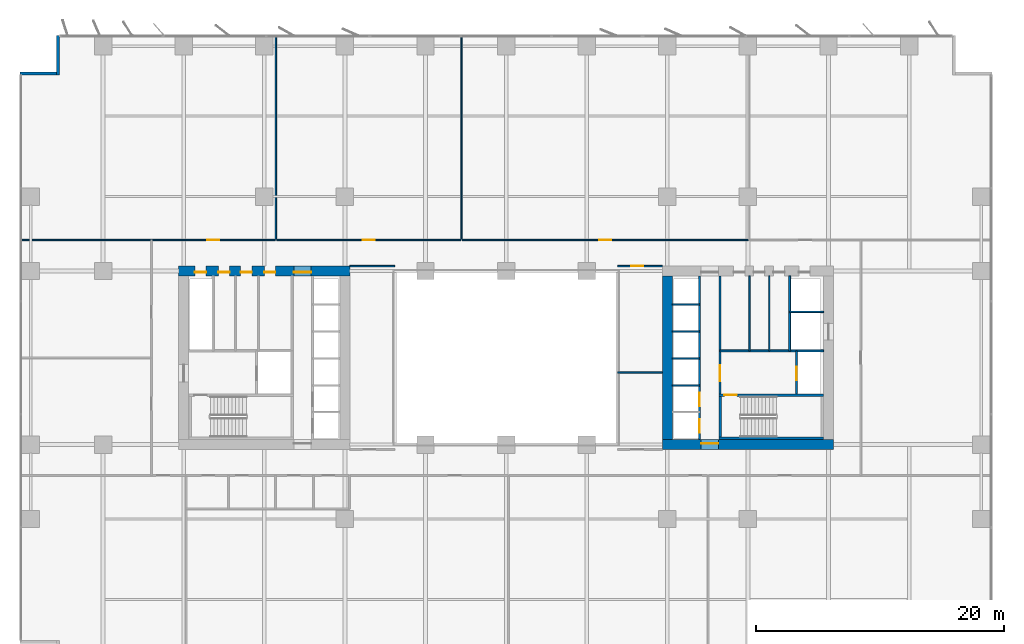
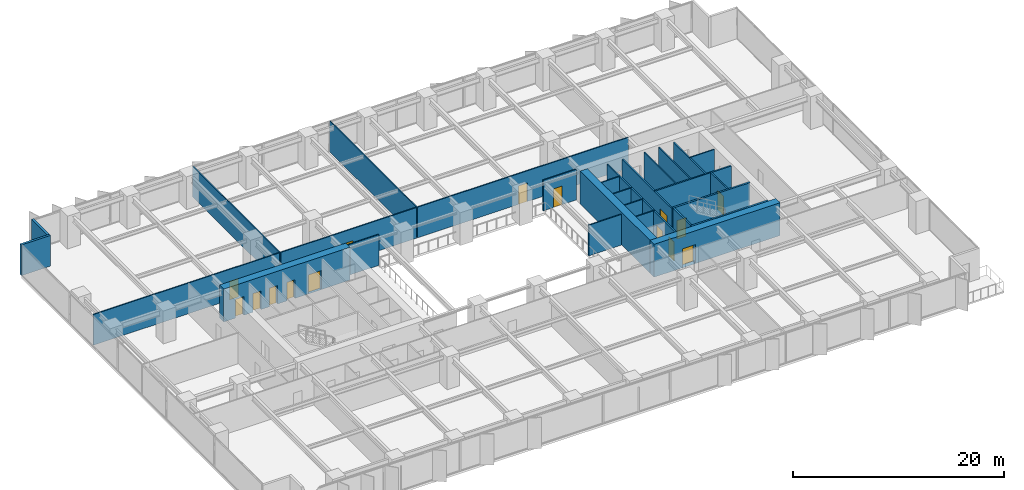
# One storey, part 14 of 20: 28 walls, 15 doors, 15 openings.
"""IFC4 building model written with IfcOpenShell, lengths in metres."""

from ifc_helpers import new_model, si_unit, direction, frame, frame_2d, origin, place, context, subcontext, project, spatial, rectangle, extrude, material, layer, layer_set, type_object, element, fill, save


model = new_model("IFC4")

# Units and contexts
model_context = context("Model", 3, precision=1e-05, world=origin(), true_north=direction((0.0, 1.0)))
body_context = subcontext(model_context, "Body", "Model", "MODEL_VIEW")
ifc_project = project(units=[si_unit("LENGTHUNIT", "METRE"), si_unit("AREAUNIT", "SQUARE_METRE"), si_unit("VOLUMEUNIT", "CUBIC_METRE"), si_unit("PLANEANGLEUNIT", "RADIAN"), si_unit("MASSUNIT", "GRAM", prefix="KILO")], contexts=[model_context])

# Site, building, storey
site_placement = place(None, origin())
site = spatial("IfcSite", under=ifc_project, at=site_placement, CompositionType="ELEMENT")
building_placement = place(site_placement, origin())
building = spatial("IfcBuilding", under=site, at=building_placement, Name="Putna Gate Headquarters", CompositionType="ELEMENT")
storey_placement = place(building_placement, frame((0.0, 0.0, 46.800048828125)))
storey = spatial("IfcBuildingStorey", under=building, at=storey_placement, Name="L10", CompositionType="ELEMENT", Elevation=46.800048828125)

# Wall, openings, doors
ifc_material_1 = material(Name="Concrete C60/75", Category="concrete")
ifc_layer_1 = layer(ifc_material_1, 0.800048828125)
ifc_layer_set_1 = layer_set([ifc_layer_1], Name="Concrete C60/75")
wall_type_1 = type_object("IfcWallType", Name="WALL-CORE-800", PredefinedType="SHEAR", material=ifc_layer_set_1)
wall_1_placement = place(storey_placement, frame((12.60009765625, 33.0, 0.0), z_axis=(0.0, 0.0, 1.0), x_axis=(1.0, 0.0, 0.0)))
wall_1 = element("IfcWall", 1, at=wall_1_placement, inside=storey, type_object=wall_type_1, Name="L10 WC Split Core Shear Wall N", PredefinedType="SHEAR", context=body_context, shape_type="SweptSolid", body=[
    extrude(rectangle(XDim=13.7998046875, YDim=0.800048828125, at=frame_2d((6.89990234375, 0.0))), origin(), (0.0, 0.0, 1.0), 3.800048828125),
])
opening_1_placement = place(wall_1_placement, frame((1.300048828125, 0.0, 0.0)))
opening_1 = element("IfcOpeningElement", 2, at=opening_1_placement, cuts=wall_1, Name="Opening RD-90", PredefinedType="OPENING", context=body_context, shape_type="SweptSolid", body=[
    extrude(rectangle(XDim=0.89990234375, YDim=2.14990234375, at=frame_2d((0.449951171875, 1.074951171875))), frame((0.0, 0.409912109375, 0.0), z_axis=(0.0, -1.0, 0.0), x_axis=(1.0, 0.0, 0.0)), (0.0, 0.0, 1.0), 0.820068359375),
])
opening_2_placement = place(wall_1_placement, frame((3.199951171875, 0.0, 0.0)))
opening_2 = element("IfcOpeningElement", 3, at=opening_2_placement, cuts=wall_1, Name="Opening IDS-90", PredefinedType="OPENING", context=body_context, shape_type="SweptSolid", body=[
    extrude(rectangle(XDim=0.89990234375, YDim=2.14990234375, at=frame_2d((0.449951171875, 1.074951171875))), frame((0.0, 0.409912109375, 0.0), z_axis=(0.0, -1.0, 0.0), x_axis=(1.0, 0.0, 0.0)), (0.0, 0.0, 1.0), 0.820068359375),
])
opening_3_placement = place(wall_1_placement, frame((5.0, 0.0, 0.0)))
opening_3 = element("IfcOpeningElement", 4, at=opening_3_placement, cuts=wall_1, Name="Opening IDS-90", PredefinedType="OPENING", context=body_context, shape_type="SweptSolid", body=[
    extrude(rectangle(XDim=0.89990234375, YDim=2.14990234375, at=frame_2d((0.449951171875, 1.074951171875))), frame((0.0, 0.409912109375, 0.0), z_axis=(0.0, -1.0, 0.0), x_axis=(1.0, 0.0, 0.0)), (0.0, 0.0, 1.0), 0.820068359375),
])
opening_4_placement = place(wall_1_placement, frame((6.89990234375, 0.0, 0.0)))
opening_4 = element("IfcOpeningElement", 5, at=opening_4_placement, cuts=wall_1, Name="Opening IDS-90", PredefinedType="OPENING", context=body_context, shape_type="SweptSolid", body=[
    extrude(rectangle(XDim=0.89990234375, YDim=2.14990234375, at=frame_2d((0.449951171875, 1.074951171875))), frame((0.0, 0.409912109375, 0.0), z_axis=(0.0, -1.0, 0.0), x_axis=(1.0, 0.0, 0.0)), (0.0, 0.0, 1.0), 0.820068359375),
])
opening_5_placement = place(wall_1_placement, frame((9.280029296875, 0.0, 0.0)))
opening_5 = element("IfcOpeningElement", 6, at=opening_5_placement, cuts=wall_1, Name="Opening FDD-140", PredefinedType="OPENING", context=body_context, shape_type="SweptSolid", body=[
    extrude(rectangle(XDim=1.39990234375, YDim=2.199951171875, at=frame_2d((0.699951171875, 1.10009765625))), frame((0.0, 0.409912109375, 0.0), z_axis=(0.0, -1.0, 0.0), x_axis=(1.0, 0.0, 0.0)), (0.0, 0.0, 1.0), 0.820068359375),
])
ifc_material_2 = material(Name="Double steel fire door", Category="steel")
door_type_1 = type_object("IfcDoorType", Name="DOOR-FIRE-DBL-1400", OperationType="DOUBLE_DOOR_SINGLE_SWING", PredefinedType="DOOR", material=ifc_material_2)
door_1_placement = place(opening_5_placement, origin())
door_1 = element("IfcDoor", 7, at=door_1_placement, inside=storey, type_object=door_type_1, Name="L10 West Lift Lobby North Door", OperationType="DOUBLE_DOOR_SINGLE_SWING", OverallHeight=2.199951171875, OverallWidth=1.39990234375, PredefinedType="DOOR", context=body_context, shape_type="SweptSolid", body=[
    extrude(rectangle(XDim=1.39990234375, YDim=2.199951171875, at=frame_2d((0.699951171875, 1.10009765625))), frame((0.0, -0.0751953125, 0.0), z_axis=(0.0, -1.0, 0.0), x_axis=(1.0, 0.0, 0.0)), (0.0, 0.0, 1.0), 0.050048828125),
])
fill(opening_5, door_1)
ifc_material_3 = material(Name="Fire-rated utility door")
door_type_2 = type_object("IfcDoorType", Name="DOOR-INT-900", OperationType="NOTDEFINED", PredefinedType="DOOR", material=ifc_material_3)
door_2_placement = place(opening_2_placement, origin())
door_2 = element("IfcDoor", 8, at=door_2_placement, inside=storey, type_object=door_type_2, Name="L10 Janitor Cupboard Door", OperationType="SINGLE_SWING_LEFT", OverallHeight=2.14990234375, OverallWidth=0.89990234375, PredefinedType="DOOR", context=body_context, shape_type="SweptSolid", body=[
    extrude(rectangle(XDim=0.89990234375, YDim=2.14990234375, at=frame_2d((0.449951171875, 1.074951171875))), frame((0.0, -0.0751953125, 0.0), z_axis=(0.0, -1.0, 0.0), x_axis=(1.0, 0.0, 0.0)), (0.0, 0.0, 1.0), 0.050048828125),
])
fill(opening_2, door_2)
door_3_placement = place(opening_3_placement, origin())
door_3 = element("IfcDoor", 9, at=door_3_placement, inside=storey, type_object=door_type_2, Name="L10 IT Patch Plant Door", OperationType="SINGLE_SWING_RIGHT", OverallHeight=2.14990234375, OverallWidth=0.89990234375, PredefinedType="DOOR", context=body_context, shape_type="SweptSolid", body=[
    extrude(rectangle(XDim=0.89990234375, YDim=2.14990234375, at=frame_2d((0.449951171875, 1.074951171875))), frame((0.0, -0.0751953125, 0.0), z_axis=(0.0, -1.0, 0.0), x_axis=(1.0, 0.0, 0.0)), (0.0, 0.0, 1.0), 0.050048828125),
])
fill(opening_3, door_3)
door_4_placement = place(opening_4_placement, origin())
door_4 = element("IfcDoor", 10, at=door_4_placement, inside=storey, type_object=door_type_2, Name="L10 Building Records Store Door", OperationType="SINGLE_SWING_LEFT", OverallHeight=2.14990234375, OverallWidth=0.89990234375, PredefinedType="DOOR", context=body_context, shape_type="SweptSolid", body=[
    extrude(rectangle(XDim=0.89990234375, YDim=2.14990234375, at=frame_2d((0.449951171875, 1.074951171875))), frame((0.0, -0.0751953125, 0.0), z_axis=(0.0, -1.0, 0.0), x_axis=(1.0, 0.0, 0.0)), (0.0, 0.0, 1.0), 0.050048828125),
])
fill(opening_4, door_4)
ifc_material_4 = material(Name="Steel riser access fire door", Category="steel")
door_type_3 = type_object("IfcDoorType", Name="DOOR-RISER-900", OperationType="NOTDEFINED", PredefinedType="DOOR", material=ifc_material_4)
door_5_placement = place(opening_1_placement, origin())
door_5 = element("IfcDoor", 11, at=door_5_placement, inside=storey, type_object=door_type_3, Name="L10 West Riser Access Door", OperationType="SINGLE_SWING_RIGHT", OverallHeight=2.14990234375, OverallWidth=0.89990234375, PredefinedType="DOOR", context=body_context, shape_type="SweptSolid", body=[
    extrude(rectangle(XDim=0.89990234375, YDim=2.14990234375, at=frame_2d((0.449951171875, 1.074951171875))), frame((0.0, -0.0751953125, 0.0), z_axis=(0.0, -1.0, 0.0), x_axis=(1.0, 0.0, 0.0)), (0.0, 0.0, 1.0), 0.050048828125),
])
fill(opening_1, door_5)

# Wall, opening, door
wall_2_placement = place(storey_placement, frame((51.60009765625, 19.0, 0.0), z_axis=(0.0, 0.0, 1.0), x_axis=(1.0, 0.0, 0.0)))
wall_2 = element("IfcWall", 12, at=wall_2_placement, inside=storey, type_object=wall_type_1, Name="L10 EC Split Core Shear Wall S", PredefinedType="SHEAR", context=body_context, shape_type="SweptSolid", body=[
    extrude(rectangle(XDim=13.7998046875, YDim=0.800048828125, at=frame_2d((6.89990234375, 0.0))), origin(), (0.0, 0.0, 1.0), 3.800048828125),
])
opening_6_placement = place(wall_2_placement, frame((3.1201171875, 0.0, 0.0)))
opening_6 = element("IfcOpeningElement", 13, at=opening_6_placement, cuts=wall_2, Name="Opening FDD-140", PredefinedType="OPENING", context=body_context, shape_type="SweptSolid", body=[
    extrude(rectangle(XDim=1.39990234375, YDim=2.199951171875, at=frame_2d((0.699951171875, 1.10009765625))), frame((0.0, 0.409912109375, 0.0), z_axis=(0.0, -1.0, 0.0), x_axis=(1.0, 0.0, 0.0)), (0.0, 0.0, 1.0), 0.820068359375),
])
door_6_placement = place(opening_6_placement, origin())
door_6 = element("IfcDoor", 14, at=door_6_placement, inside=storey, type_object=door_type_1, Name="L10 East Lift Lobby South Door", OperationType="DOUBLE_DOOR_SINGLE_SWING", OverallHeight=2.199951171875, OverallWidth=1.39990234375, PredefinedType="DOOR", context=body_context, shape_type="SweptSolid", body=[
    extrude(rectangle(XDim=1.39990234375, YDim=2.199951171875, at=frame_2d((0.699951171875, 1.10009765625))), frame((0.0, 0.125, 0.0), z_axis=(0.0, -1.0, 0.0), x_axis=(1.0, 0.0, 0.0)), (0.0, 0.0, 1.0), 0.050048828125),
])
fill(opening_6, door_6)

# Walls
wall_3_placement = place(storey_placement, frame((52.0, 19.39990234375, 0.0), z_axis=(0.0, 0.0, 1.0), x_axis=(0.0, 1.0, 0.0)))
element("IfcWall", 15, at=wall_3_placement, inside=storey, type_object=wall_type_1, Name="L10 EC Split Core Shear Wall W", PredefinedType="SHEAR", context=body_context, shape_type="SweptSolid", body=[
    extrude(rectangle(XDim=13.2001953125, YDim=0.800048828125, at=frame_2d((6.60009765625, 0.0))), origin(), (0.0, 0.0, 1.0), 3.800048828125),
])
ifc_material_5 = material(Name="Precast concrete C40/50", Category="concrete")
ifc_layer_2 = layer(ifc_material_5, 0.239990234375)
ifc_layer_set_2 = layer_set([ifc_layer_2], Name="Precast concrete C40/50")
wall_type_2 = type_object("IfcWallType", Name="WALL-EXT-TERR-240", PredefinedType="STANDARD", material=ifc_layer_set_2)
for number, where, z_axis, x_axis, name in (
    (16, (2.8798828125, 48.800048828125, 0.0), (0.0, 0.0, 1.0), (0.0, 1.0, 0.0), "L10 Corner Notch Return Wall NW-V"),
    (17, (-0.199951171875, 48.919921875, 0.0), (0.0, 0.0, 1.0), (1.0, 0.0, 0.0), "L10 Corner Notch Return Wall NW-H"),
):
    element("IfcWall", number, at=place(storey_placement, frame(where, z_axis=z_axis, x_axis=x_axis)), inside=storey, type_object=wall_type_2, Name=name, PredefinedType="STANDARD", context=body_context, shape_type="SweptSolid", body=[
        extrude(rectangle(XDim=3.199951171875, YDim=0.239990234375, at=frame_2d((1.60009765625, 0.0))), origin(), (0.0, 0.0, 1.0), 3.550048828125),
    ])
ifc_material_6 = material(Name="Acoustic gypsum board on metal stud")
ifc_layer_3 = layer(ifc_material_6, 0.1201171875)
ifc_layer_set_3 = layer_set([ifc_layer_3], Name="Acoustic gypsum board on metal stud")
wall_type_3 = type_object("IfcWallType", Name="WALL-PART-120", PredefinedType="PARTITIONING", material=ifc_layer_set_3)
for number, where, z_axis, x_axis, name in (
    (18, (26.39990234375, 33.39990234375, 0.0), (0.0, 0.0, 1.0), (1.0, 0.0, 0.0), "L10 Interior Wall PART-L10-ATR-W-N"),
    (19, (48.0, 24.800048828125, 0.0), (0.0, 0.0, 1.0), (1.0, 0.0, 0.0), "L10 Interior Wall PART-L10-ATR-E-DIV"),
):
    element("IfcWall", number, at=place(storey_placement, frame(where, z_axis=z_axis, x_axis=x_axis)), inside=storey, type_object=wall_type_3, Name=name, PredefinedType="PARTITIONING", context=body_context, shape_type="SweptSolid", body=[
        extrude(rectangle(XDim=3.60009765625, YDim=0.1201171875, at=frame_2d((1.800048828125, 0.0))), origin(), (0.0, 0.0, 1.0), 3.550048828125),
    ])

# Wall, opening, door
wall_4_placement = place(storey_placement, frame((48.0, 33.39990234375, 0.0), z_axis=(0.0, 0.0, 1.0), x_axis=(1.0, 0.0, 0.0)))
wall_4 = element("IfcWall", 20, at=wall_4_placement, inside=storey, type_object=wall_type_3, Name="L10 Interior Wall PART-L10-ATR-E-N", PredefinedType="PARTITIONING", context=body_context, shape_type="SweptSolid", body=[
    extrude(rectangle(XDim=3.60009765625, YDim=0.1201171875, at=frame_2d((1.800048828125, 0.0))), origin(), (0.0, 0.0, 1.0), 3.550048828125),
])
opening_7_placement = place(wall_4_placement, frame((1.10009765625, 0.0, 0.0)))
opening_7 = element("IfcOpeningElement", 21, at=opening_7_placement, cuts=wall_4, Name="Opening ID-95", PredefinedType="OPENING", context=body_context, shape_type="SweptSolid", body=[
    extrude(rectangle(XDim=0.949951171875, YDim=2.14990234375, at=frame_2d((0.47509765625, 1.074951171875))), frame((0.0, 0.070068359375, 0.0), z_axis=(0.0, -1.0, 0.0), x_axis=(1.0, 0.0, 0.0)), (0.0, 0.0, 1.0), 0.14013671875),
])
ifc_material_7 = material(Name="Veneered acoustic timber door", Category="wood")
door_type_4 = type_object("IfcDoorType", Name="DOOR-OFF-950", OperationType="NOTDEFINED", PredefinedType="DOOR", material=ifc_material_7)
door_7_placement = place(opening_7_placement, origin())
door_7 = element("IfcDoor", 22, at=door_7_placement, inside=storey, type_object=door_type_4, Name="L10 East Atrium North Gallery Door", OperationType="SINGLE_SWING_LEFT", OverallHeight=2.14990234375, OverallWidth=0.949951171875, PredefinedType="DOOR", context=body_context, shape_type="SweptSolid", body=[
    extrude(rectangle(XDim=0.949951171875, YDim=2.14990234375, at=frame_2d((0.47509765625, 1.074951171875))), frame((0.0, 0.02490234375, 0.0), z_axis=(0.0, -1.0, 0.0), x_axis=(1.0, 0.0, 0.0)), (0.0, 0.0, 1.0), 0.050048828125),
])
fill(opening_7, door_7)

# Walls
for number, where, z_axis, x_axis, name in (
    (23, (20.426513671875, 35.56005859375, 0.0), (0.0, 0.0, 1.0), (0.0, 1.0, 0.0), "L10 Interior Wall PART-L10-NB-DIV-01"),
    (24, (35.40234375, 35.56005859375, 0.0), (0.0, 0.0, 1.0), (0.0, 1.0, 0.0), "L10 Interior Wall PART-L10-NB-DIV-02"),
):
    element("IfcWall", number, at=place(storey_placement, frame(where, z_axis=z_axis, x_axis=x_axis)), inside=storey, type_object=wall_type_3, Name=name, PredefinedType="PARTITIONING", context=body_context, shape_type="SweptSolid", body=[
        extrude(rectangle(XDim=16.419921875, YDim=0.1201171875, at=frame_2d((8.2099609375, 0.0))), origin(), (0.0, 0.0, 1.0), 3.550048828125),
    ])
ifc_material_8 = material(Name="Fire-rated shaftwall gypsum board on metal stud")
ifc_layer_4 = layer(ifc_material_8, 0.1201171875)
ifc_layer_set_4 = layer_set([ifc_layer_4], Name="Fire-rated shaftwall gypsum board on metal stud")
wall_type_4 = type_object("IfcWallType", Name="WALL-PART-120-EI120", PredefinedType="PARTITIONING", material=ifc_layer_set_4)
for number, where, z_axis, x_axis, name in (
    (25, (52.39990234375, 23.780029296875, 0.0), (0.0, 0.0, 1.0), (1.0, 0.0, 0.0), "L10 Interior Wall CWINT-L10-EC-LF04-DIV"),
    (26, (52.39990234375, 25.949951171875, 0.0), (0.0, 0.0, 1.0), (1.0, 0.0, 0.0), "L10 Interior Wall CWINT-L10-EC-LF07-DIV"),
    (27, (52.39990234375, 28.1201171875, 0.0), (0.0, 0.0, 1.0), (1.0, 0.0, 0.0), "L10 Interior Wall CWINT-L10-EC-LF08-DIV"),
    (28, (52.39990234375, 30.31005859375, 0.0), (0.0, 0.0, 1.0), (1.0, 0.0, 0.0), "L10 Interior Wall CWINT-L10-EC-LF11-DIV"),
):
    element("IfcWall", number, at=place(storey_placement, frame(where, z_axis=z_axis, x_axis=x_axis)), inside=storey, type_object=wall_type_4, Name=name, PredefinedType="PARTITIONING", context=body_context, shape_type="SweptSolid", body=[
        extrude(rectangle(XDim=2.2001953125, YDim=0.1201171875, at=frame_2d((1.10009765625, 0.0))), origin(), (0.0, 0.0, 1.0), 3.550048828125),
    ])
wall_5_placement = place(storey_placement, frame((61.8701171875, 29.699951171875, 0.0), z_axis=(0.0, 0.0, 1.0), x_axis=(1.0, 0.0, 0.0)))
element("IfcWall", 29, at=wall_5_placement, inside=storey, type_object=wall_type_4, Name="L10 Interior Wall CWINT-L10-EC-LF15-N", PredefinedType="PARTITIONING", context=body_context, shape_type="SweptSolid", body=[
    extrude(rectangle(XDim=2.72998046875, YDim=0.1201171875, at=frame_2d((1.364990234375, 0.0))), origin(), (0.0, 0.0, 1.0), 3.550048828125),
])
ifc_material_9 = material(Name="Fire-rated gypsum board on metal stud")
ifc_layer_5 = layer(ifc_material_9, 0.1201171875)
ifc_layer_set_5 = layer_set([ifc_layer_5], Name="Fire-rated gypsum board on metal stud")
wall_type_5 = type_object("IfcWallType", Name="WALL-PART-120-RATED", PredefinedType="PARTITIONING", material=ifc_layer_set_5)
for number, where, z_axis, x_axis, name in (
    (30, (58.6201171875, 26.56005859375, 0.0), (0.0, 0.0, 1.0), (0.0, 1.0, 0.0), "L10 Interior Wall CWINT-L10-EC-K2-D1"),
    (31, (60.219970703125, 26.56005859375, 0.0), (0.0, 0.0, 1.0), (0.0, 1.0, 0.0), "L10 Interior Wall CWINT-L10-EC-K2-D2"),
):
    element("IfcWall", number, at=place(storey_placement, frame(where, z_axis=z_axis, x_axis=x_axis)), inside=storey, type_object=wall_type_5, Name=name, PredefinedType="PARTITIONING", context=body_context, shape_type="SweptSolid", body=[
        extrude(rectangle(XDim=6.0400390625, YDim=0.1201171875, at=frame_2d((3.02001953125, 0.0))), origin(), (0.0, 0.0, 1.0), 3.550048828125),
    ])

# Wall, opening, door
wall_6_placement = place(storey_placement, frame((-0.02001953125, 35.5, 0.0), z_axis=(0.0, 0.0, 1.0), x_axis=(1.0, 0.0, 0.0)))
wall_6 = element("IfcWall", 32, at=wall_6_placement, inside=storey, type_object=wall_type_5, Name="L10 Interior Wall PART-L10-NB-CW-01", PredefinedType="PARTITIONING", context=body_context, shape_type="SweptSolid", body=[
    extrude(rectangle(XDim=20.386474609375, YDim=0.1201171875, at=frame_2d((10.193359375, 0.0))), origin(), (0.0, 0.0, 1.0), 3.550048828125),
])
opening_8_placement = place(wall_6_placement, frame((14.92822265625, 0.0, 0.0)))
opening_8 = element("IfcOpeningElement", 33, at=opening_8_placement, cuts=wall_6, Name="Opening FD-95", PredefinedType="OPENING", context=body_context, shape_type="SweptSolid", body=[
    extrude(rectangle(XDim=0.949951171875, YDim=2.14990234375, at=frame_2d((0.47509765625, 1.074951171875))), frame((0.0, 0.070068359375, 0.0), z_axis=(0.0, -1.0, 0.0), x_axis=(1.0, 0.0, 0.0)), (0.0, 0.0, 1.0), 0.14013671875),
])
ifc_material_10 = material(Name="Acoustic timber fire door", Category="wood")
door_type_5 = type_object("IfcDoorType", Name="DOOR-FIRE-950", OperationType="NOTDEFINED", PredefinedType="DOOR", material=ifc_material_10)
door_8_placement = place(opening_8_placement, origin())
door_8 = element("IfcDoor", 34, at=door_8_placement, inside=storey, type_object=door_type_5, Name="L10 Collaborative Breakout Lounge 1 Door", OperationType="SINGLE_SWING_RIGHT", OverallHeight=2.14990234375, OverallWidth=0.949951171875, PredefinedType="DOOR", context=body_context, shape_type="SweptSolid", body=[
    extrude(rectangle(XDim=0.949951171875, YDim=2.14990234375, at=frame_2d((0.47509765625, 1.074951171875))), frame((0.0, 0.02490234375, 0.0), z_axis=(0.0, -1.0, 0.0), x_axis=(1.0, 0.0, 0.0)), (0.0, 0.0, 1.0), 0.050048828125),
])
fill(opening_8, door_8)

wall_7_placement = place(storey_placement, frame((20.486572265625, 35.5, 0.0), z_axis=(0.0, 0.0, 1.0), x_axis=(1.0, 0.0, 0.0)))
wall_7 = element("IfcWall", 35, at=wall_7_placement, inside=storey, type_object=wall_type_5, Name="L10 Interior Wall PART-L10-NB-CW-02", PredefinedType="PARTITIONING", context=body_context, shape_type="SweptSolid", body=[
    extrude(rectangle(XDim=14.855712890625, YDim=0.1201171875, at=frame_2d((7.427734375, 0.0))), origin(), (0.0, 0.0, 1.0), 3.550048828125),
])
opening_9_placement = place(wall_7_placement, frame((6.952880859375, 0.0, 0.0)))
opening_9 = element("IfcOpeningElement", 36, at=opening_9_placement, cuts=wall_7, Name="Opening FD-95", PredefinedType="OPENING", context=body_context, shape_type="SweptSolid", body=[
    extrude(rectangle(XDim=0.949951171875, YDim=2.14990234375, at=frame_2d((0.47509765625, 1.074951171875))), frame((0.0, 0.070068359375, 0.0), z_axis=(0.0, -1.0, 0.0), x_axis=(1.0, 0.0, 0.0)), (0.0, 0.0, 1.0), 0.14013671875),
])
door_9_placement = place(opening_9_placement, origin())
door_9 = element("IfcDoor", 37, at=door_9_placement, inside=storey, type_object=door_type_5, Name="L10 Cellular Office 1 Door", OperationType="SINGLE_SWING_LEFT", OverallHeight=2.14990234375, OverallWidth=0.949951171875, PredefinedType="DOOR", context=body_context, shape_type="SweptSolid", body=[
    extrude(rectangle(XDim=0.949951171875, YDim=2.14990234375, at=frame_2d((0.47509765625, 1.074951171875))), frame((0.0, 0.02490234375, 0.0), z_axis=(0.0, -1.0, 0.0), x_axis=(1.0, 0.0, 0.0)), (0.0, 0.0, 1.0), 0.050048828125),
])
fill(opening_9, door_9)

wall_8_placement = place(storey_placement, frame((35.46240234375, 35.5, 0.0), z_axis=(0.0, 0.0, 1.0), x_axis=(1.0, 0.0, 0.0)))
wall_8 = element("IfcWall", 38, at=wall_8_placement, inside=storey, type_object=wall_type_5, Name="L10 Interior Wall PART-L10-NB-CW-03", PredefinedType="PARTITIONING", context=body_context, shape_type="SweptSolid", body=[
    extrude(rectangle(XDim=23.057861328125, YDim=0.1201171875, at=frame_2d((11.52880859375, 0.0))), origin(), (0.0, 0.0, 1.0), 3.550048828125),
])
opening_10_placement = place(wall_8_placement, frame((11.053955078125, 0.0, 0.0)))
opening_10 = element("IfcOpeningElement", 39, at=opening_10_placement, cuts=wall_8, Name="Opening FD-95", PredefinedType="OPENING", context=body_context, shape_type="SweptSolid", body=[
    extrude(rectangle(XDim=0.949951171875, YDim=2.14990234375, at=frame_2d((0.47509765625, 1.074951171875))), frame((0.0, 0.070068359375, 0.0), z_axis=(0.0, -1.0, 0.0), x_axis=(1.0, 0.0, 0.0)), (0.0, 0.0, 1.0), 0.14013671875),
])
door_10_placement = place(opening_10_placement, origin())
door_10 = element("IfcDoor", 40, at=door_10_placement, inside=storey, type_object=door_type_5, Name="L10 Cellular Office 2 Door", OperationType="SINGLE_SWING_RIGHT", OverallHeight=2.14990234375, OverallWidth=0.949951171875, PredefinedType="DOOR", context=body_context, shape_type="SweptSolid", body=[
    extrude(rectangle(XDim=0.949951171875, YDim=2.14990234375, at=frame_2d((0.47509765625, 1.074951171875))), frame((0.0, 0.02490234375, 0.0), z_axis=(0.0, -1.0, 0.0), x_axis=(1.0, 0.0, 0.0)), (0.0, 0.0, 1.0), 0.050048828125),
])
fill(opening_10, door_10)

# Wall, openings, doors
ifc_material_11 = material(Name="Concrete C40/50", Category="concrete")
ifc_layer_6 = layer(ifc_material_11, 0.159912109375)
ifc_layer_set_6 = layer_set([ifc_layer_6], Name="Concrete C40/50")
wall_type_6 = type_object("IfcWallType", Name="WALL-SHAFT-160", PredefinedType="STANDARD", material=ifc_layer_set_6)
wall_9_placement = place(storey_placement, frame((54.60009765625, 19.39990234375, 0.0), z_axis=(0.0, 0.0, 1.0), x_axis=(0.0, 1.0, 0.0)))
wall_9 = element("IfcWall", 41, at=wall_9_placement, inside=storey, type_object=wall_type_6, Name="L10 Interior Wall CWINT-L10-EC-PL-WALL", PredefinedType="STANDARD", context=body_context, shape_type="SweptSolid", body=[
    extrude(rectangle(XDim=13.2001953125, YDim=0.159912109375, at=frame_2d((6.60009765625, 0.0))), origin(), (0.0, 0.0, 1.0), 3.550048828125),
])
opening_11_placement = place(wall_9_placement, frame((0.550048828125, 0.0, 0.0)))
opening_11 = element("IfcOpeningElement", 42, at=opening_11_placement, cuts=wall_9, Name="Opening LD-1", PredefinedType="OPENING", context=body_context, shape_type="SweptSolid", body=[
    extrude(rectangle(XDim=1.10009765625, YDim=2.199951171875, at=frame_2d((0.550048828125, 1.10009765625))), frame((0.0, 0.08984375, 0.0), z_axis=(0.0, -1.0, 0.0), x_axis=(1.0, 0.0, 0.0)), (0.0, 0.0, 1.0), 0.179931640625),
])
opening_12_placement = place(wall_9_placement, frame((2.699951171875, 0.0, 0.0)))
opening_12 = element("IfcOpeningElement", 43, at=opening_12_placement, cuts=wall_9, Name="Opening LD-1", PredefinedType="OPENING", context=body_context, shape_type="SweptSolid", body=[
    extrude(rectangle(XDim=1.10009765625, YDim=2.199951171875, at=frame_2d((0.550048828125, 1.10009765625))), frame((0.0, 0.08984375, 0.0), z_axis=(0.0, -1.0, 0.0), x_axis=(1.0, 0.0, 0.0)), (0.0, 0.0, 1.0), 0.179931640625),
])
ifc_material_12 = material(Name="Brushed bronze stainless lift landing door")
door_type_6 = type_object("IfcDoorType", Name="DOOR-LIFT-1100", OperationType="DOUBLE_DOOR_SLIDING", PredefinedType="DOOR", material=ifc_material_12)
door_11_placement = place(opening_11_placement, origin())
door_11 = element("IfcDoor", 44, at=door_11_placement, inside=storey, type_object=door_type_6, Name="L10 Lift Landing Door LD-03", OperationType="DOUBLE_DOOR_SLIDING", OverallHeight=2.199951171875, OverallWidth=1.10009765625, PredefinedType="DOOR", context=body_context, shape_type="SweptSolid", body=[
    extrude(rectangle(XDim=1.10009765625, YDim=2.199951171875, at=frame_2d((0.550048828125, 1.10009765625))), frame((0.0, 0.02490234375, 0.0), z_axis=(0.0, -1.0, 0.0), x_axis=(1.0, 0.0, 0.0)), (0.0, 0.0, 1.0), 0.050048828125),
])
fill(opening_11, door_11)
door_12_placement = place(opening_12_placement, origin())
door_12 = element("IfcDoor", 45, at=door_12_placement, inside=storey, type_object=door_type_6, Name="L10 Lift Landing Door LD-04", OperationType="DOUBLE_DOOR_SLIDING", OverallHeight=2.199951171875, OverallWidth=1.10009765625, PredefinedType="DOOR", context=body_context, shape_type="SweptSolid", body=[
    extrude(rectangle(XDim=1.10009765625, YDim=2.199951171875, at=frame_2d((0.550048828125, 1.10009765625))), frame((0.0, 0.02490234375, 0.0), z_axis=(0.0, -1.0, 0.0), x_axis=(1.0, 0.0, 0.0)), (0.0, 0.0, 1.0), 0.050048828125),
])
fill(opening_12, door_12)

# Wall, opening, door
wall_10_placement = place(storey_placement, frame((56.260009765625, 23.090087890625, 0.0), z_axis=(0.0, 0.0, 1.0), x_axis=(0.0, 1.0, 0.0)))
wall_10 = element("IfcWall", 46, at=wall_10_placement, inside=storey, type_object=wall_type_6, Name="L10 Interior Wall CWINT-L10-EC-LOB-E", PredefinedType="STANDARD", context=body_context, shape_type="SweptSolid", body=[
    extrude(rectangle(XDim=9.510009765625, YDim=0.159912109375, at=frame_2d((4.7548828125, 0.0))), origin(), (0.0, 0.0, 1.0), 3.550048828125),
])
opening_13_placement = place(wall_10_placement, frame((1.010009765625, 0.0, 0.0)))
opening_13 = element("IfcOpeningElement", 47, at=opening_13_placement, cuts=wall_10, Name="Opening FDD-130", PredefinedType="OPENING", context=body_context, shape_type="SweptSolid", body=[
    extrude(rectangle(XDim=1.300048828125, YDim=2.199951171875, at=frame_2d((0.64990234375, 1.10009765625))), frame((0.0, 0.08984375, 0.0), z_axis=(0.0, -1.0, 0.0), x_axis=(1.0, 0.0, 0.0)), (0.0, 0.0, 1.0), 0.179931640625),
])
ifc_material_13 = material(Name="Double steel lobby fire door", Category="steel")
door_type_7 = type_object("IfcDoorType", Name="DOOR-FIRE-DBL-1300", OperationType="DOUBLE_DOOR_SINGLE_SWING", PredefinedType="DOOR", material=ifc_material_13)
door_13_placement = place(opening_13_placement, origin())
door_13 = element("IfcDoor", 48, at=door_13_placement, inside=storey, type_object=door_type_7, Name="L10 East Firefighting Lobby Door", OperationType="DOUBLE_DOOR_SINGLE_SWING", OverallHeight=2.199951171875, OverallWidth=1.300048828125, PredefinedType="DOOR", context=body_context, shape_type="SweptSolid", body=[
    extrude(rectangle(XDim=1.300048828125, YDim=2.199951171875, at=frame_2d((0.64990234375, 1.10009765625))), frame((0.0, 0.02490234375, 0.0), z_axis=(0.0, -1.0, 0.0), x_axis=(1.0, 0.0, 0.0)), (0.0, 0.0, 1.0), 0.050048828125),
])
fill(opening_13, door_13)

wall_11_placement = place(storey_placement, frame((62.429931640625, 23.090087890625, 0.0), z_axis=(0.0, 0.0, 1.0), x_axis=(0.0, 1.0, 0.0)))
wall_11 = element("IfcWall", 49, at=wall_11_placement, inside=storey, type_object=wall_type_6, Name="L10 Interior Wall CWINT-L10-EC-LF14-W", PredefinedType="STANDARD", context=body_context, shape_type="SweptSolid", body=[
    extrude(rectangle(XDim=3.469970703125, YDim=0.159912109375, at=frame_2d((1.73486328125, 0.0))), origin(), (0.0, 0.0, 1.0), 3.550048828125),
])
opening_14_placement = place(wall_11_placement, frame((1.10009765625, 0.0, 0.0)))
opening_14 = element("IfcOpeningElement", 50, at=opening_14_placement, cuts=wall_11, Name="Opening LD-1", PredefinedType="OPENING", context=body_context, shape_type="SweptSolid", body=[
    extrude(rectangle(XDim=1.10009765625, YDim=2.199951171875, at=frame_2d((0.550048828125, 1.10009765625))), frame((0.0, 0.08984375, 0.0), z_axis=(0.0, -1.0, 0.0), x_axis=(1.0, 0.0, 0.0)), (0.0, 0.0, 1.0), 0.179931640625),
])
door_14_placement = place(opening_14_placement, origin())
door_14 = element("IfcDoor", 51, at=door_14_placement, inside=storey, type_object=door_type_6, Name="L10 Lift Landing Door LD-14", OperationType="DOUBLE_DOOR_SLIDING", OverallHeight=2.199951171875, OverallWidth=1.10009765625, PredefinedType="DOOR", context=body_context, shape_type="SweptSolid", body=[
    extrude(rectangle(XDim=1.10009765625, YDim=2.199951171875, at=frame_2d((0.550048828125, 1.10009765625))), frame((0.0, 0.02490234375, 0.0), z_axis=(0.0, -1.0, 0.0), x_axis=(1.0, 0.0, 0.0)), (0.0, 0.0, 1.0), 0.050048828125),
])
fill(opening_14, door_14)

# Walls
wall_12_placement = place(storey_placement, frame((56.260009765625, 26.56005859375, 0.0), z_axis=(0.0, 0.0, 1.0), x_axis=(1.0, 0.0, 0.0)))
element("IfcWall", 52, at=wall_12_placement, inside=storey, type_object=wall_type_6, Name="L10 Interior Wall CWINT-L10-EC-FFL-N", PredefinedType="STANDARD", context=body_context, shape_type="SweptSolid", body=[
    extrude(rectangle(XDim=8.340087890625, YDim=0.159912109375, at=frame_2d((4.169921875, 0.0))), origin(), (0.0, 0.0, 1.0), 3.550048828125),
])
wall_13_placement = place(storey_placement, frame((61.8701171875, 26.56005859375, 0.0), z_axis=(0.0, 0.0, 1.0), x_axis=(0.0, 1.0, 0.0)))
element("IfcWall", 53, at=wall_13_placement, inside=storey, type_object=wall_type_6, Name="L10 Interior Wall CWINT-L10-EC-LF15-W", PredefinedType="STANDARD", context=body_context, shape_type="SweptSolid", body=[
    extrude(rectangle(XDim=6.0400390625, YDim=0.159912109375, at=frame_2d((3.02001953125, 0.0))), origin(), (0.0, 0.0, 1.0), 3.550048828125),
])
ifc_layer_7 = layer(ifc_material_11, 0.199951171875)
ifc_layer_set_7 = layer_set([ifc_layer_7], Name="Concrete C40/50")
wall_type_7 = type_object("IfcWallType", Name="WALL-SHAFT-RC200", PredefinedType="SHEAR", material=ifc_layer_set_7)
wall_14_placement = place(storey_placement, frame((56.159912109375, 19.510009765625, 0.0), z_axis=(0.0, 0.0, 1.0), x_axis=(1.0, 0.0, 0.0)))
element("IfcWall", 54, at=wall_14_placement, inside=storey, type_object=wall_type_7, Name="L10 Stair ST2 Structural Shaft Wall S", PredefinedType="SHEAR", context=body_context, shape_type="SweptSolid", body=[
    extrude(rectangle(XDim=8.43017578125, YDim=0.199951171875, at=frame_2d((4.215087890625, 0.0))), origin(), (0.0, 0.0, 1.0), 3.800048828125),
])

# Wall, opening, door
wall_15_placement = place(storey_placement, frame((56.159912109375, 22.989990234375, 0.0), z_axis=(0.0, 0.0, 1.0), x_axis=(1.0, 0.0, 0.0)))
wall_15 = element("IfcWall", 55, at=wall_15_placement, inside=storey, type_object=wall_type_7, Name="L10 Stair ST2 Structural Shaft Wall N", PredefinedType="SHEAR", context=body_context, shape_type="SweptSolid", body=[
    extrude(rectangle(XDim=8.43017578125, YDim=0.199951171875, at=frame_2d((4.215087890625, 0.0))), origin(), (0.0, 0.0, 1.0), 3.800048828125),
])
opening_15_placement = place(wall_15_placement, frame((0.449951171875, 0.0, 0.0)))
opening_15 = element("IfcOpeningElement", 56, at=opening_15_placement, cuts=wall_15, Name="Opening FD-100", PredefinedType="OPENING", context=body_context, shape_type="SweptSolid", body=[
    extrude(rectangle(XDim=1.0, YDim=2.14990234375, at=frame_2d((0.5, 1.074951171875))), frame((0.0, 0.10986328125, 0.0), z_axis=(0.0, -1.0, 0.0), x_axis=(1.0, 0.0, 0.0)), (0.0, 0.0, 1.0), 0.219970703125),
])
ifc_material_14 = material(Name="Powder-coated steel fire door", Category="steel")
door_type_8 = type_object("IfcDoorType", Name="DOOR-FIRE-1000", OperationType="NOTDEFINED", PredefinedType="DOOR", material=ifc_material_14)
door_15_placement = place(opening_15_placement, origin())
door_15 = element("IfcDoor", 57, at=door_15_placement, inside=storey, type_object=door_type_8, Name="L10 Stair ST2 Fire Door", OperationType="SINGLE_SWING_RIGHT", OverallHeight=2.14990234375, OverallWidth=1.0, PredefinedType="DOOR", context=body_context, shape_type="SweptSolid", body=[
    extrude(rectangle(XDim=1.0, YDim=2.14990234375, at=frame_2d((0.5, 1.074951171875))), frame((0.0, 0.02490234375, 0.0), z_axis=(0.0, -1.0, 0.0), x_axis=(1.0, 0.0, 0.0)), (0.0, 0.0, 1.0), 0.050048828125),
])
fill(opening_15, door_15)

# Wall
wall_16_placement = place(storey_placement, frame((56.260009765625, 19.610107421875, 0.0), z_axis=(0.0, 0.0, 1.0), x_axis=(0.0, 1.0, 0.0)))
element("IfcWall", 58, at=wall_16_placement, inside=storey, type_object=wall_type_7, Name="L10 Stair ST2 Structural Shaft Wall W", PredefinedType="SHEAR", context=body_context, shape_type="SweptSolid", body=[
    extrude(rectangle(XDim=3.27978515625, YDim=0.199951171875, at=frame_2d((1.639892578125, 0.0))), origin(), (0.0, 0.0, 1.0), 3.800048828125),
])

save(model, "model.ifc")
